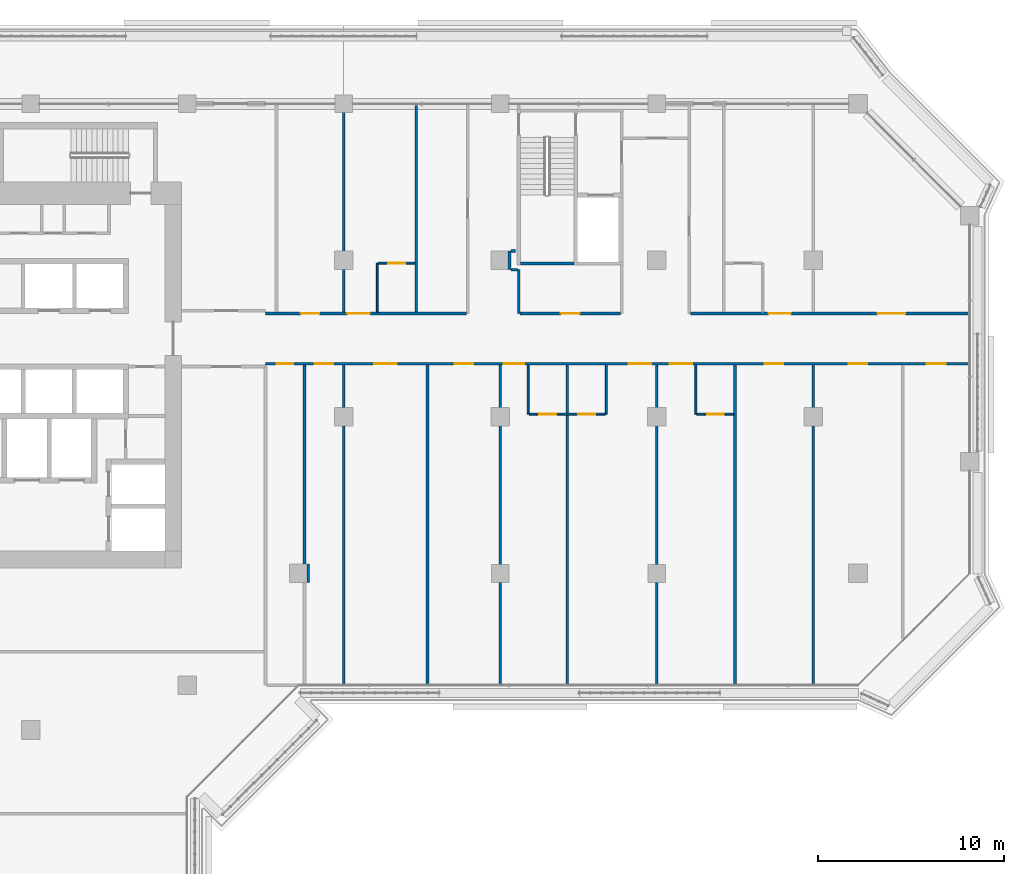
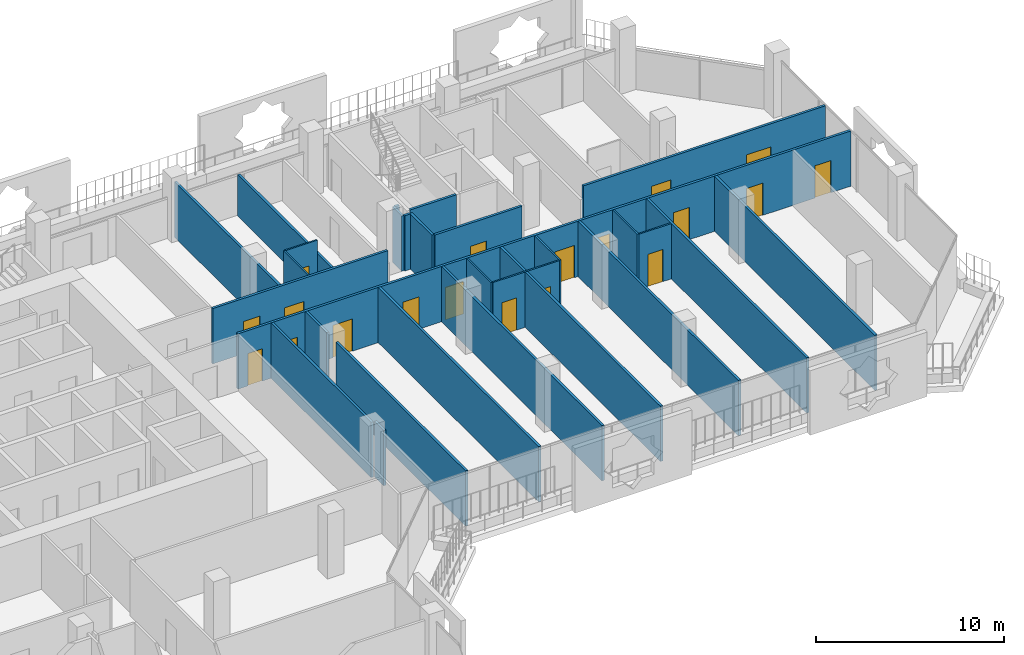
# One storey, part 13 of 23: 28 walls, 19 doors, 19 openings.
"""IFC4 building model written with IfcOpenShell, lengths in metres."""

from ifc_helpers import new_model, si_unit, direction, frame, frame_2d, origin, place, context, subcontext, project, spatial, rectangle, extrude, material, layer, layer_set, type_object, element, fill, save


model = new_model("IFC4")

# Units and contexts
model_context = context("Model", 3, precision=1e-05, world=origin(), true_north=direction((0.0, 1.0)))
body_context = subcontext(model_context, "Body", "Model", "MODEL_VIEW")
ifc_project = project(units=[si_unit("LENGTHUNIT", "METRE"), si_unit("AREAUNIT", "SQUARE_METRE"), si_unit("VOLUMEUNIT", "CUBIC_METRE"), si_unit("PLANEANGLEUNIT", "RADIAN"), si_unit("MASSUNIT", "GRAM", prefix="KILO")], contexts=[model_context])

# Site, building, storey
site_placement = place(None, origin())
site = spatial("IfcSite", under=ifc_project, at=site_placement, CompositionType="ELEMENT")
building_placement = place(site_placement, origin())
building = spatial("IfcBuilding", under=site, at=building_placement, Name="Kawkab Arch Medical Tower", CompositionType="ELEMENT")
storey_placement = place(building_placement, frame((0.0, 0.0, 175.199951171875)))
storey = spatial("IfcBuildingStorey", under=building, at=storey_placement, Name="L40", CompositionType="ELEMENT", Elevation=175.199951171875)

# Wall, openings, doors
ifc_material_1 = material(Name="Gypsum board partition on steel studs", Category="steel")
ifc_layer_1 = layer(ifc_material_1, 0.10009765625)
ifc_layer_set_1 = layer_set([ifc_layer_1], Name="Gypsum board partition on steel studs")
wall_type_1 = type_object("IfcWallType", Name="Partition 100", PredefinedType="PARTITIONING", material=ifc_layer_set_1)
wall_1_placement = place(storey_placement, frame((43.550048828125, -16.64990234375, 0.0), z_axis=(0.0, 0.0, 1.0), x_axis=(1.0, 0.0, 0.0)))
wall_1 = element("IfcWall", 1, at=wall_1_placement, inside=storey, type_object=wall_type_1, Name="Partition 100 w003", PredefinedType="PARTITIONING", context=body_context, shape_type="SweptSolid", body=[
    extrude(rectangle(XDim=4.099853515625, YDim=0.10009765625, at=frame_2d((2.0498046875, 0.0))), origin(), (0.0, 0.0, 1.0), 3.60009765625),
])
opening_1_placement = place(wall_1_placement, frame((0.550048828125, 0.0, 0.0)))
opening_1 = element("IfcOpeningElement", 2, at=opening_1_placement, cuts=wall_1, Name="Opening W40-007", PredefinedType="OPENING", context=body_context, shape_type="SweptSolid", body=[
    extrude(rectangle(XDim=0.89990234375, YDim=2.10009765625, at=frame_2d((0.449951171875, 1.050048828125))), frame((0.0, 0.06005859375, 0.0), z_axis=(0.0, -1.0, 0.0), x_axis=(1.0, 0.0, 0.0)), (0.0, 0.0, 1.0), 0.1201171875),
])
opening_2_placement = place(wall_1_placement, frame((2.64990234375, 0.0, 0.0)))
opening_2 = element("IfcOpeningElement", 3, at=opening_2_placement, cuts=wall_1, Name="Opening W40-008", PredefinedType="OPENING", context=body_context, shape_type="SweptSolid", body=[
    extrude(rectangle(XDim=0.89990234375, YDim=2.10009765625, at=frame_2d((0.449951171875, 1.050048828125))), frame((0.0, 0.06005859375, 0.0), z_axis=(0.0, -1.0, 0.0), x_axis=(1.0, 0.0, 0.0)), (0.0, 0.0, 1.0), 0.1201171875),
])
ifc_material_2 = material(Name="Timber door leaf", Category="wood")
door_type_1 = type_object("IfcDoorType", Name="Single door 900x2100", OperationType="NOTDEFINED", PredefinedType="DOOR", material=ifc_material_2)
door_1_placement = place(opening_1_placement, origin())
door_1 = element("IfcDoor", 4, at=door_1_placement, inside=storey, type_object=door_type_1, Name="Door W40-007", OperationType="SINGLE_SWING_RIGHT", OverallHeight=2.10009765625, OverallWidth=0.89990234375, PredefinedType="DOOR", context=body_context, shape_type="SweptSolid", body=[
    extrude(rectangle(XDim=0.89990234375, YDim=2.10009765625, at=frame_2d((0.449951171875, 1.050048828125))), frame((0.0, 0.02490234375, 0.0), z_axis=(0.0, -1.0, 0.0), x_axis=(1.0, 0.0, 0.0)), (0.0, 0.0, 1.0), 0.050048828125),
])
fill(opening_1, door_1)
door_2_placement = place(opening_2_placement, origin())
door_2 = element("IfcDoor", 5, at=door_2_placement, inside=storey, type_object=door_type_1, Name="Door W40-008", OperationType="SINGLE_SWING_LEFT", OverallHeight=2.10009765625, OverallWidth=0.89990234375, PredefinedType="DOOR", context=body_context, shape_type="SweptSolid", body=[
    extrude(rectangle(XDim=0.89990234375, YDim=2.10009765625, at=frame_2d((0.449951171875, 1.050048828125))), frame((0.0, 0.02490234375, 0.0), z_axis=(0.0, -1.0, 0.0), x_axis=(1.0, 0.0, 0.0)), (0.0, 0.0, 1.0), 0.050048828125),
])
fill(opening_2, door_2)

# Wall, opening, door
wall_2_placement = place(storey_placement, frame((52.550048828125, -16.64990234375, 0.0), z_axis=(0.0, 0.0, 1.0), x_axis=(1.0, 0.0, 0.0)))
wall_2 = element("IfcWall", 6, at=wall_2_placement, inside=storey, type_object=wall_type_1, Name="Partition 100 w004", PredefinedType="PARTITIONING", context=body_context, shape_type="SweptSolid", body=[
    extrude(rectangle(XDim=1.974853515625, YDim=0.10009765625, at=frame_2d((0.9873046875, 0.0))), origin(), (0.0, 0.0, 1.0), 3.60009765625),
])
opening_3_placement = place(wall_2_placement, frame((0.550048828125, 0.0, 0.0)))
opening_3 = element("IfcOpeningElement", 7, at=opening_3_placement, cuts=wall_2, Name="Opening W40-009", PredefinedType="OPENING", context=body_context, shape_type="SweptSolid", body=[
    extrude(rectangle(XDim=0.89990234375, YDim=2.10009765625, at=frame_2d((0.449951171875, 1.050048828125))), frame((0.0, 0.06005859375, 0.0), z_axis=(0.0, -1.0, 0.0), x_axis=(1.0, 0.0, 0.0)), (0.0, 0.0, 1.0), 0.1201171875),
])
door_3_placement = place(opening_3_placement, origin())
door_3 = element("IfcDoor", 8, at=door_3_placement, inside=storey, type_object=door_type_1, Name="Door W40-009", OperationType="SINGLE_SWING_LEFT", OverallHeight=2.10009765625, OverallWidth=0.89990234375, PredefinedType="DOOR", context=body_context, shape_type="SweptSolid", body=[
    extrude(rectangle(XDim=0.89990234375, YDim=2.10009765625, at=frame_2d((0.449951171875, 1.050048828125))), frame((0.0, 0.02490234375, 0.0), z_axis=(0.0, -1.0, 0.0), x_axis=(1.0, 0.0, 0.0)), (0.0, 0.0, 1.0), 0.050048828125),
])
fill(opening_3, door_3)

wall_3_placement = place(storey_placement, frame((35.449951171875, -8.550048828125, 0.0), z_axis=(0.0, 0.0, 1.0), x_axis=(1.0, 0.0, 0.0)))
wall_3 = element("IfcWall", 9, at=wall_3_placement, inside=storey, type_object=wall_type_1, Name="Partition 100 w005", PredefinedType="PARTITIONING", context=body_context, shape_type="SweptSolid", body=[
    extrude(rectangle(XDim=1.97509765625, YDim=0.10009765625, at=frame_2d((0.987548828125, 0.0))), origin(), (0.0, 0.0, 1.0), 3.60009765625),
])
opening_4_placement = place(wall_3_placement, frame((0.550048828125, 0.0, 0.0)))
opening_4 = element("IfcOpeningElement", 10, at=opening_4_placement, cuts=wall_3, Name="Opening W40-005", PredefinedType="OPENING", context=body_context, shape_type="SweptSolid", body=[
    extrude(rectangle(XDim=0.89990234375, YDim=2.10009765625, at=frame_2d((0.449951171875, 1.050048828125))), frame((0.0, 0.06005859375, 0.0), z_axis=(0.0, -1.0, 0.0), x_axis=(1.0, 0.0, 0.0)), (0.0, 0.0, 1.0), 0.1201171875),
])
door_4_placement = place(opening_4_placement, origin())
door_4 = element("IfcDoor", 11, at=door_4_placement, inside=storey, type_object=door_type_1, Name="Door W40-005", OperationType="SINGLE_SWING_RIGHT", OverallHeight=2.10009765625, OverallWidth=0.89990234375, PredefinedType="DOOR", context=body_context, shape_type="SweptSolid", body=[
    extrude(rectangle(XDim=0.89990234375, YDim=2.10009765625, at=frame_2d((0.449951171875, 1.050048828125))), frame((0.0, 0.02490234375, 0.0), z_axis=(0.0, -1.0, 0.0), x_axis=(1.0, 0.0, 0.0)), (0.0, 0.0, 1.0), 0.050048828125),
])
fill(opening_4, door_4)

# Walls
for number, where, z_axis, x_axis, name in (
    (12, (35.39990234375, -11.175048828125, 0.0), (0.0, 0.0, 1.0), (0.0, 1.0, 0.0), "Partition 100 w010"),
    (13, (43.5, -16.64990234375, 0.0), (0.0, 0.0, 1.0), (0.0, 1.0, 0.0), "Partition 100 w011"),
    (14, (47.699951171875, -16.64990234375, 0.0), (0.0, 0.0, 1.0), (0.0, 1.0, 0.0), "Partition 100 w012"),
    (15, (52.5, -16.64990234375, 0.0), (0.0, 0.0, 1.0), (0.0, 1.0, 0.0), "Partition 100 w013"),
):
    element("IfcWall", number, at=place(storey_placement, frame(where, z_axis=z_axis, x_axis=x_axis)), inside=storey, type_object=wall_type_1, Name=name, PredefinedType="PARTITIONING", context=body_context, shape_type="SweptSolid", body=[
        extrude(rectangle(XDim=2.625, YDim=0.10009765625, at=frame_2d((1.3125, 0.0))), origin(), (0.0, 0.0, 1.0), 3.60009765625),
    ])

# Wall, openings, doors
ifc_material_3 = material(Name="Gypsum board partition on steel studs, mineral wool", Category="steel")
ifc_layer_2 = layer(ifc_material_3, 0.14990234375)
ifc_layer_set_2 = layer_set([ifc_layer_2], Name="Gypsum board partition on steel studs, mineral wool")
wall_type_2 = type_object("IfcWallType", Name="Partition 150", PredefinedType="PARTITIONING", material=ifc_layer_set_2)
wall_4_placement = place(storey_placement, frame((29.39990234375, -13.949951171875, 0.0), z_axis=(0.0, 0.0, 1.0), x_axis=(1.0, 0.0, 0.0)))
wall_4 = element("IfcWall", 16, at=wall_4_placement, inside=storey, type_object=wall_type_2, Name="Partition 150 w028", PredefinedType="PARTITIONING", context=body_context, shape_type="SweptSolid", body=[
    extrude(rectangle(XDim=37.72021484375, YDim=0.14990234375, at=frame_2d((18.860107421875, 0.0))), origin(), (0.0, 0.0, 1.0), 3.60009765625),
])
opening_5_placement = place(wall_4_placement, frame((10.14990234375, 0.0, 0.0)))
opening_5 = element("IfcOpeningElement", 17, at=opening_5_placement, cuts=wall_4, Name="Opening W40-019", PredefinedType="OPENING", context=body_context, shape_type="SweptSolid", body=[
    extrude(rectangle(XDim=1.0, YDim=2.10009765625, at=frame_2d((0.5, 1.050048828125))), frame((0.0, 0.0849609375, 0.0), z_axis=(0.0, -1.0, 0.0), x_axis=(1.0, 0.0, 0.0)), (0.0, 0.0, 1.0), 0.169921875),
])
opening_6_placement = place(wall_4_placement, frame((12.800048828125, 0.0, 0.0)))
opening_6 = element("IfcOpeningElement", 18, at=opening_6_placement, cuts=wall_4, Name="Opening W40-026", PredefinedType="OPENING", context=body_context, shape_type="SweptSolid", body=[
    extrude(rectangle(XDim=1.10009765625, YDim=2.10009765625, at=frame_2d((0.550048828125, 1.050048828125))), frame((0.0, 0.0849609375, 0.0), z_axis=(0.0, -1.0, 0.0), x_axis=(1.0, 0.0, 0.0)), (0.0, 0.0, 1.0), 0.169921875),
])
opening_7_placement = place(wall_4_placement, frame((19.5, 0.0, 0.0)))
opening_7 = element("IfcOpeningElement", 19, at=opening_7_placement, cuts=wall_4, Name="Opening W40-031", PredefinedType="OPENING", context=body_context, shape_type="SweptSolid", body=[
    extrude(rectangle(XDim=1.199951171875, YDim=2.10009765625, at=frame_2d((0.60009765625, 1.050048828125))), frame((0.0, 0.0849609375, 0.0), z_axis=(0.0, -1.0, 0.0), x_axis=(1.0, 0.0, 0.0)), (0.0, 0.0, 1.0), 0.169921875),
])
opening_8_placement = place(wall_4_placement, frame((21.699951171875, 0.0, 0.0)))
opening_8 = element("IfcOpeningElement", 20, at=opening_8_placement, cuts=wall_4, Name="Opening W40-032", PredefinedType="OPENING", context=body_context, shape_type="SweptSolid", body=[
    extrude(rectangle(XDim=1.199951171875, YDim=2.10009765625, at=frame_2d((0.60009765625, 1.050048828125))), frame((0.0, 0.0849609375, 0.0), z_axis=(0.0, -1.0, 0.0), x_axis=(1.0, 0.0, 0.0)), (0.0, 0.0, 1.0), 0.169921875),
])
opening_9_placement = place(wall_4_placement, frame((26.800048828125, 0.0, 0.0)))
opening_9 = element("IfcOpeningElement", 21, at=opening_9_placement, cuts=wall_4, Name="Opening W40-020", PredefinedType="OPENING", context=body_context, shape_type="SweptSolid", body=[
    extrude(rectangle(XDim=1.0, YDim=2.10009765625, at=frame_2d((0.5, 1.050048828125))), frame((0.0, 0.0849609375, 0.0), z_axis=(0.0, -1.0, 0.0), x_axis=(1.0, 0.0, 0.0)), (0.0, 0.0, 1.0), 0.169921875),
])
opening_10_placement = place(wall_4_placement, frame((31.300048828125, 0.0, 0.0)))
opening_10 = element("IfcOpeningElement", 22, at=opening_10_placement, cuts=wall_4, Name="Opening W40-021", PredefinedType="OPENING", context=body_context, shape_type="SweptSolid", body=[
    extrude(rectangle(XDim=1.0, YDim=2.10009765625, at=frame_2d((0.5, 1.050048828125))), frame((0.0, 0.0849609375, 0.0), z_axis=(0.0, -1.0, 0.0), x_axis=(1.0, 0.0, 0.0)), (0.0, 0.0, 1.0), 0.169921875),
])
opening_11_placement = place(wall_4_placement, frame((35.5, 0.0, 0.0)))
opening_11 = element("IfcOpeningElement", 23, at=opening_11_placement, cuts=wall_4, Name="Opening W40-022", PredefinedType="OPENING", context=body_context, shape_type="SweptSolid", body=[
    extrude(rectangle(XDim=1.0, YDim=2.10009765625, at=frame_2d((0.5, 1.050048828125))), frame((0.0, 0.0849609375, 0.0), z_axis=(0.0, -1.0, 0.0), x_axis=(1.0, 0.0, 0.0)), (0.0, 0.0, 1.0), 0.169921875),
])
opening_12_placement = place(wall_4_placement, frame((0.60009765625, 0.0, 0.0)))
opening_12 = element("IfcOpeningElement", 24, at=opening_12_placement, cuts=wall_4, Name="Opening W40-012", PredefinedType="OPENING", context=body_context, shape_type="SweptSolid", body=[
    extrude(rectangle(XDim=0.89990234375, YDim=2.10009765625, at=frame_2d((0.449951171875, 1.050048828125))), frame((0.0, 0.0849609375, 0.0), z_axis=(0.0, -1.0, 0.0), x_axis=(1.0, 0.0, 0.0)), (0.0, 0.0, 1.0), 0.169921875),
])
opening_13_placement = place(wall_4_placement, frame((2.64990234375, 0.0, 0.0)))
opening_13 = element("IfcOpeningElement", 25, at=opening_13_placement, cuts=wall_4, Name="Opening W40-013", PredefinedType="OPENING", context=body_context, shape_type="SweptSolid", body=[
    extrude(rectangle(XDim=1.0, YDim=2.10009765625, at=frame_2d((0.5, 1.050048828125))), frame((0.0, 0.0849609375, 0.0), z_axis=(0.0, -1.0, 0.0), x_axis=(1.0, 0.0, 0.0)), (0.0, 0.0, 1.0), 0.169921875),
])
opening_14_placement = place(wall_4_placement, frame((5.85009765625, 0.0, 0.0)))
opening_14 = element("IfcOpeningElement", 26, at=opening_14_placement, cuts=wall_4, Name="Opening W40-037", PredefinedType="OPENING", context=body_context, shape_type="SweptSolid", body=[
    extrude(rectangle(XDim=1.199951171875, YDim=2.10009765625, at=frame_2d((0.60009765625, 1.050048828125))), frame((0.0, 0.0849609375, 0.0), z_axis=(0.0, -1.0, 0.0), x_axis=(1.0, 0.0, 0.0)), (0.0, 0.0, 1.0), 0.169921875),
])
ifc_material_4 = material(Name="Timber door leaf", Category="wood")
door_type_2 = type_object("IfcDoorType", Name="Single door 1000x2100", OperationType="NOTDEFINED", PredefinedType="DOOR", material=ifc_material_4)
door_5_placement = place(opening_13_placement, origin())
door_5 = element("IfcDoor", 27, at=door_5_placement, inside=storey, type_object=door_type_2, Name="Door W40-013", OperationType="SINGLE_SWING_RIGHT", OverallHeight=2.10009765625, OverallWidth=1.0, PredefinedType="DOOR", context=body_context, shape_type="SweptSolid", body=[
    extrude(rectangle(XDim=1.0, YDim=2.10009765625, at=frame_2d((0.5, 1.050048828125))), frame((0.0, 0.02490234375, 0.0), z_axis=(0.0, -1.0, 0.0), x_axis=(1.0, 0.0, 0.0)), (0.0, 0.0, 1.0), 0.050048828125),
])
fill(opening_13, door_5)
ifc_material_5 = material(Name="Hollow metal door leaf")
door_type_3 = type_object("IfcDoorType", Name="Single door 1000x2100 FD30S", OperationType="NOTDEFINED", PredefinedType="DOOR", material=ifc_material_5)
door_6_placement = place(opening_5_placement, origin())
door_6 = element("IfcDoor", 28, at=door_6_placement, inside=storey, type_object=door_type_3, Name="Door W40-019", OperationType="SINGLE_SWING_RIGHT", OverallHeight=2.10009765625, OverallWidth=1.0, PredefinedType="DOOR", context=body_context, shape_type="SweptSolid", body=[
    extrude(rectangle(XDim=1.0, YDim=2.10009765625, at=frame_2d((0.5, 1.050048828125))), frame((0.0, 0.02490234375, 0.0), z_axis=(0.0, -1.0, 0.0), x_axis=(1.0, 0.0, 0.0)), (0.0, 0.0, 1.0), 0.050048828125),
])
fill(opening_5, door_6)
door_7_placement = place(opening_9_placement, origin())
door_7 = element("IfcDoor", 29, at=door_7_placement, inside=storey, type_object=door_type_3, Name="Door W40-020", OperationType="SINGLE_SWING_LEFT", OverallHeight=2.10009765625, OverallWidth=1.0, PredefinedType="DOOR", context=body_context, shape_type="SweptSolid", body=[
    extrude(rectangle(XDim=1.0, YDim=2.10009765625, at=frame_2d((0.5, 1.050048828125))), frame((0.0, 0.02490234375, 0.0), z_axis=(0.0, -1.0, 0.0), x_axis=(1.0, 0.0, 0.0)), (0.0, 0.0, 1.0), 0.050048828125),
])
fill(opening_9, door_7)
door_8_placement = place(opening_10_placement, origin())
door_8 = element("IfcDoor", 30, at=door_8_placement, inside=storey, type_object=door_type_3, Name="Door W40-021", OperationType="SINGLE_SWING_LEFT", OverallHeight=2.10009765625, OverallWidth=1.0, PredefinedType="DOOR", context=body_context, shape_type="SweptSolid", body=[
    extrude(rectangle(XDim=1.0, YDim=2.10009765625, at=frame_2d((0.5, 1.050048828125))), frame((0.0, 0.02490234375, 0.0), z_axis=(0.0, -1.0, 0.0), x_axis=(1.0, 0.0, 0.0)), (0.0, 0.0, 1.0), 0.050048828125),
])
fill(opening_10, door_8)
door_9_placement = place(opening_11_placement, origin())
door_9 = element("IfcDoor", 31, at=door_9_placement, inside=storey, type_object=door_type_3, Name="Door W40-022", OperationType="SINGLE_SWING_LEFT", OverallHeight=2.10009765625, OverallWidth=1.0, PredefinedType="DOOR", context=body_context, shape_type="SweptSolid", body=[
    extrude(rectangle(XDim=1.0, YDim=2.10009765625, at=frame_2d((0.5, 1.050048828125))), frame((0.0, 0.02490234375, 0.0), z_axis=(0.0, -1.0, 0.0), x_axis=(1.0, 0.0, 0.0)), (0.0, 0.0, 1.0), 0.050048828125),
])
fill(opening_11, door_9)
ifc_material_6 = material(Name="Hollow metal door leaf")
door_type_4 = type_object("IfcDoorType", Name="Single door 1100x2100 FD30S", OperationType="NOTDEFINED", PredefinedType="DOOR", material=ifc_material_6)
door_10_placement = place(opening_6_placement, origin())
door_10 = element("IfcDoor", 32, at=door_10_placement, inside=storey, type_object=door_type_4, Name="Door W40-026", OperationType="SINGLE_SWING_RIGHT", OverallHeight=2.10009765625, OverallWidth=1.10009765625, PredefinedType="DOOR", context=body_context, shape_type="SweptSolid", body=[
    extrude(rectangle(XDim=1.10009765625, YDim=2.10009765625, at=frame_2d((0.550048828125, 1.050048828125))), frame((0.0, 0.02490234375, 0.0), z_axis=(0.0, -1.0, 0.0), x_axis=(1.0, 0.0, 0.0)), (0.0, 0.0, 1.0), 0.050048828125),
])
fill(opening_6, door_10)
ifc_material_7 = material(Name="Hollow metal door leaf")
door_type_5 = type_object("IfcDoorType", Name="Single door 1200x2100 FD30S", OperationType="NOTDEFINED", PredefinedType="DOOR", material=ifc_material_7)
door_11_placement = place(opening_7_placement, origin())
door_11 = element("IfcDoor", 33, at=door_11_placement, inside=storey, type_object=door_type_5, Name="Door W40-031", OperationType="SINGLE_SWING_LEFT", OverallHeight=2.10009765625, OverallWidth=1.199951171875, PredefinedType="DOOR", context=body_context, shape_type="SweptSolid", body=[
    extrude(rectangle(XDim=1.199951171875, YDim=2.10009765625, at=frame_2d((0.60009765625, 1.050048828125))), frame((0.0, 0.02490234375, 0.0), z_axis=(0.0, -1.0, 0.0), x_axis=(1.0, 0.0, 0.0)), (0.0, 0.0, 1.0), 0.050048828125),
])
fill(opening_7, door_11)
door_12_placement = place(opening_8_placement, origin())
door_12 = element("IfcDoor", 34, at=door_12_placement, inside=storey, type_object=door_type_5, Name="Door W40-032", OperationType="SINGLE_SWING_LEFT", OverallHeight=2.10009765625, OverallWidth=1.199951171875, PredefinedType="DOOR", context=body_context, shape_type="SweptSolid", body=[
    extrude(rectangle(XDim=1.199951171875, YDim=2.10009765625, at=frame_2d((0.60009765625, 1.050048828125))), frame((0.0, 0.02490234375, 0.0), z_axis=(0.0, -1.0, 0.0), x_axis=(1.0, 0.0, 0.0)), (0.0, 0.0, 1.0), 0.050048828125),
])
fill(opening_8, door_12)
door_13_placement = place(opening_14_placement, origin())
door_13 = element("IfcDoor", 35, at=door_13_placement, inside=storey, type_object=door_type_5, Name="Door W40-037", OperationType="SINGLE_SWING_RIGHT", OverallHeight=2.10009765625, OverallWidth=1.199951171875, PredefinedType="DOOR", context=body_context, shape_type="SweptSolid", body=[
    extrude(rectangle(XDim=1.199951171875, YDim=2.10009765625, at=frame_2d((0.60009765625, 1.050048828125))), frame((0.0, 0.02490234375, 0.0), z_axis=(0.0, -1.0, 0.0), x_axis=(1.0, 0.0, 0.0)), (0.0, 0.0, 1.0), 0.050048828125),
])
fill(opening_14, door_13)
door_14_placement = place(opening_12_placement, origin())
door_14 = element("IfcDoor", 36, at=door_14_placement, inside=storey, type_object=door_type_1, Name="Door W40-012", OperationType="SINGLE_SWING_RIGHT", OverallHeight=2.10009765625, OverallWidth=0.89990234375, PredefinedType="DOOR", context=body_context, shape_type="SweptSolid", body=[
    extrude(rectangle(XDim=0.89990234375, YDim=2.10009765625, at=frame_2d((0.449951171875, 1.050048828125))), frame((0.0, 0.02490234375, 0.0), z_axis=(0.0, -1.0, 0.0), x_axis=(1.0, 0.0, 0.0)), (0.0, 0.0, 1.0), 0.050048828125),
])
fill(opening_12, door_14)

wall_5_placement = place(storey_placement, frame((29.39990234375, -11.25, 0.0), z_axis=(0.0, 0.0, 1.0), x_axis=(1.0, 0.0, 0.0)))
wall_5 = element("IfcWall", 37, at=wall_5_placement, inside=storey, type_object=wall_type_2, Name="Partition 150 w029", PredefinedType="PARTITIONING", context=body_context, shape_type="SweptSolid", body=[
    extrude(rectangle(XDim=10.781982421875, YDim=0.14990234375, at=frame_2d((5.39111328125, 0.0))), origin(), (0.0, 0.0, 1.0), 3.60009765625),
])
opening_15_placement = place(wall_5_placement, frame((1.89990234375, 0.0, 0.0)))
opening_15 = element("IfcOpeningElement", 38, at=opening_15_placement, cuts=wall_5, Name="Opening W40-014", PredefinedType="OPENING", context=body_context, shape_type="SweptSolid", body=[
    extrude(rectangle(XDim=1.0, YDim=2.10009765625, at=frame_2d((0.5, 1.050048828125))), frame((0.0, 0.0849609375, 0.0), z_axis=(0.0, -1.0, 0.0), x_axis=(1.0, 0.0, 0.0)), (0.0, 0.0, 1.0), 0.169921875),
])
opening_16_placement = place(wall_5_placement, frame((4.39990234375, 0.0, 0.0)))
opening_16 = element("IfcOpeningElement", 39, at=opening_16_placement, cuts=wall_5, Name="Opening W40-029", PredefinedType="OPENING", context=body_context, shape_type="SweptSolid", body=[
    extrude(rectangle(XDim=1.199951171875, YDim=2.10009765625, at=frame_2d((0.60009765625, 1.050048828125))), frame((0.0, 0.0849609375, 0.0), z_axis=(0.0, -1.0, 0.0), x_axis=(1.0, 0.0, 0.0)), (0.0, 0.0, 1.0), 0.169921875),
])
door_15_placement = place(opening_15_placement, origin())
door_15 = element("IfcDoor", 40, at=door_15_placement, inside=storey, type_object=door_type_3, Name="Door W40-014", OperationType="SINGLE_SWING_LEFT", OverallHeight=2.10009765625, OverallWidth=1.0, PredefinedType="DOOR", context=body_context, shape_type="SweptSolid", body=[
    extrude(rectangle(XDim=1.0, YDim=2.10009765625, at=frame_2d((0.5, 1.050048828125))), frame((0.0, 0.02490234375, 0.0), z_axis=(0.0, -1.0, 0.0), x_axis=(1.0, 0.0, 0.0)), (0.0, 0.0, 1.0), 0.050048828125),
])
fill(opening_15, door_15)
door_16_placement = place(opening_16_placement, origin())
door_16 = element("IfcDoor", 41, at=door_16_placement, inside=storey, type_object=door_type_5, Name="Door W40-029", OperationType="SINGLE_SWING_LEFT", OverallHeight=2.10009765625, OverallWidth=1.199951171875, PredefinedType="DOOR", context=body_context, shape_type="SweptSolid", body=[
    extrude(rectangle(XDim=1.199951171875, YDim=2.10009765625, at=frame_2d((0.60009765625, 1.050048828125))), frame((0.0, 0.02490234375, 0.0), z_axis=(0.0, -1.0, 0.0), x_axis=(1.0, 0.0, 0.0)), (0.0, 0.0, 1.0), 0.050048828125),
])
fill(opening_16, door_16)

# Wall, opening, door
wall_6_placement = place(storey_placement, frame((43.074951171875, -11.25, 0.0), z_axis=(0.0, 0.0, 1.0), x_axis=(1.0, 0.0, 0.0)))
wall_6 = element("IfcWall", 42, at=wall_6_placement, inside=storey, type_object=wall_type_2, Name="Partition 150 w030", PredefinedType="PARTITIONING", context=body_context, shape_type="SweptSolid", body=[
    extrude(rectangle(XDim=5.375, YDim=0.14990234375, at=frame_2d((2.6875, 0.0))), origin(), (0.0, 0.0, 1.0), 3.60009765625),
])
opening_17_placement = place(wall_6_placement, frame((2.18798828125, 0.0, 0.0)))
opening_17 = element("IfcOpeningElement", 43, at=opening_17_placement, cuts=wall_6, Name="Opening W40-016", PredefinedType="OPENING", context=body_context, shape_type="SweptSolid", body=[
    extrude(rectangle(XDim=1.0, YDim=2.10009765625, at=frame_2d((0.5, 1.050048828125))), frame((0.0, 0.0849609375, 0.0), z_axis=(0.0, -1.0, 0.0), x_axis=(1.0, 0.0, 0.0)), (0.0, 0.0, 1.0), 0.169921875),
])
door_17_placement = place(opening_17_placement, origin())
door_17 = element("IfcDoor", 44, at=door_17_placement, inside=storey, type_object=door_type_3, Name="Door W40-016", OperationType="SINGLE_SWING_RIGHT", OverallHeight=2.10009765625, OverallWidth=1.0, PredefinedType="DOOR", context=body_context, shape_type="SweptSolid", body=[
    extrude(rectangle(XDim=1.0, YDim=2.10009765625, at=frame_2d((0.5, 1.050048828125))), frame((0.0, 0.02490234375, 0.0), z_axis=(0.0, -1.0, 0.0), x_axis=(1.0, 0.0, 0.0)), (0.0, 0.0, 1.0), 0.050048828125),
])
fill(opening_17, door_17)

# Wall, openings, doors
wall_7_placement = place(storey_placement, frame((52.218017578125, -11.25, 0.0), z_axis=(0.0, 0.0, 1.0), x_axis=(1.0, 0.0, 0.0)))
wall_7 = element("IfcWall", 45, at=wall_7_placement, inside=storey, type_object=wall_type_2, Name="Partition 150 w031", PredefinedType="PARTITIONING", context=body_context, shape_type="SweptSolid", body=[
    extrude(rectangle(XDim=14.902099609375, YDim=0.14990234375, at=frame_2d((7.451171875, 0.0))), origin(), (0.0, 0.0, 1.0), 3.60009765625),
])
opening_18_placement = place(wall_7_placement, frame((4.181884765625, 0.0, 0.0)))
opening_18 = element("IfcOpeningElement", 46, at=opening_18_placement, cuts=wall_7, Name="Opening W40-030", PredefinedType="OPENING", context=body_context, shape_type="SweptSolid", body=[
    extrude(rectangle(XDim=1.199951171875, YDim=2.10009765625, at=frame_2d((0.60009765625, 1.050048828125))), frame((0.0, 0.0849609375, 0.0), z_axis=(0.0, -1.0, 0.0), x_axis=(1.0, 0.0, 0.0)), (0.0, 0.0, 1.0), 0.169921875),
])
opening_19_placement = place(wall_7_placement, frame((10.031982421875, 0.0, 0.0)))
opening_19 = element("IfcOpeningElement", 47, at=opening_19_placement, cuts=wall_7, Name="Opening W40-002", PredefinedType="OPENING", context=body_context, shape_type="SweptSolid", body=[
    extrude(rectangle(XDim=1.5, YDim=2.10009765625, at=frame_2d((0.75, 1.050048828125))), frame((0.0, 0.0849609375, 0.0), z_axis=(0.0, -1.0, 0.0), x_axis=(1.0, 0.0, 0.0)), (0.0, 0.0, 1.0), 0.169921875),
])
ifc_material_8 = material(Name="Hollow metal door leaf")
door_type_6 = type_object("IfcDoorType", Name="Double door 1500x2100 FD30S", OperationType="NOTDEFINED", PredefinedType="DOOR", material=ifc_material_8)
door_18_placement = place(opening_19_placement, origin())
door_18 = element("IfcDoor", 48, at=door_18_placement, inside=storey, type_object=door_type_6, Name="Door W40-002", OperationType="DOUBLE_DOOR_SINGLE_SWING", OverallHeight=2.10009765625, OverallWidth=1.5, PredefinedType="DOOR", context=body_context, shape_type="SweptSolid", body=[
    extrude(rectangle(XDim=1.5, YDim=2.10009765625, at=frame_2d((0.75, 1.050048828125))), frame((0.0, 0.02490234375, 0.0), z_axis=(0.0, -1.0, 0.0), x_axis=(1.0, 0.0, 0.0)), (0.0, 0.0, 1.0), 0.050048828125),
])
fill(opening_19, door_18)
door_19_placement = place(opening_18_placement, origin())
door_19 = element("IfcDoor", 49, at=door_19_placement, inside=storey, type_object=door_type_5, Name="Door W40-030", OperationType="SINGLE_SWING_LEFT", OverallHeight=2.10009765625, OverallWidth=1.199951171875, PredefinedType="DOOR", context=body_context, shape_type="SweptSolid", body=[
    extrude(rectangle(XDim=1.199951171875, YDim=2.10009765625, at=frame_2d((0.60009765625, 1.050048828125))), frame((0.0, 0.02490234375, 0.0), z_axis=(0.0, -1.0, 0.0), x_axis=(1.0, 0.0, 0.0)), (0.0, 0.0, 1.0), 0.050048828125),
])
fill(opening_18, door_19)

# Walls
wall_8_placement = place(storey_placement, frame((42.576904296875, -8.89990234375, 0.0), z_axis=(0.0, 0.0, 1.0), x_axis=(1.0, 0.0, 0.0)))
element("IfcWall", 50, at=wall_8_placement, inside=storey, type_object=wall_type_2, Name="Partition 150 w034", PredefinedType="PARTITIONING", context=body_context, shape_type="SweptSolid", body=[
    extrude(rectangle(XDim=0.34619140625, YDim=0.14990234375, at=frame_2d((0.173095703125, 0.0))), origin(), (0.0, 0.0, 1.0), 3.60009765625),
])
wall_9_placement = place(storey_placement, frame((42.576904296875, -7.89990234375, 0.0), z_axis=(0.0, 0.0, 1.0), x_axis=(1.0, 0.0, 0.0)))
element("IfcWall", 51, at=wall_9_placement, inside=storey, type_object=wall_type_2, Name="Partition 150 w035", PredefinedType="PARTITIONING", context=body_context, shape_type="SweptSolid", body=[
    extrude(rectangle(XDim=0.2431640625, YDim=0.14990234375, at=frame_2d((0.12158203125, 0.0))), origin(), (0.0, 0.0, 1.0), 3.60009765625),
])
wall_10_placement = place(storey_placement, frame((31.5, -24.697998046875, 0.0), z_axis=(0.0, 0.0, 1.0), x_axis=(0.0, 1.0, 0.0)))
element("IfcWall", 52, at=wall_10_placement, inside=storey, type_object=wall_type_2, Name="Partition 150 w048", PredefinedType="PARTITIONING", context=body_context, shape_type="SweptSolid", body=[
    extrude(rectangle(XDim=10.673095703125, YDim=0.14990234375, at=frame_2d((5.33642578125, 0.0))), origin(), (0.0, 0.0, 1.0), 3.60009765625),
])
wall_11_placement = place(storey_placement, frame((31.699951171875, -25.697998046875, 0.0), z_axis=(0.0, 0.0, 1.0), x_axis=(0.0, 1.0, 0.0)))
element("IfcWall", 53, at=wall_11_placement, inside=storey, type_object=wall_type_2, Name="Partition 150 w049", PredefinedType="PARTITIONING", context=body_context, shape_type="SweptSolid", body=[
    extrude(rectangle(XDim=0.99609375, YDim=0.14990234375, at=frame_2d((0.498046875, 0.0))), origin(), (0.0, 0.0, 1.0), 3.60009765625),
])
wall_12_placement = place(storey_placement, frame((33.60009765625, -31.1201171875, 0.0), z_axis=(0.0, 0.0, 1.0), x_axis=(0.0, 1.0, 0.0)))
element("IfcWall", 54, at=wall_12_placement, inside=storey, type_object=wall_type_2, Name="Partition 150 w050", PredefinedType="PARTITIONING", context=body_context, shape_type="SweptSolid", body=[
    extrude(rectangle(XDim=13.820068359375, YDim=0.14990234375, at=frame_2d((6.91015625, 0.0))), origin(), (0.0, 0.0, 1.0), 3.60009765625),
])
wall_13_placement = place(storey_placement, frame((33.60009765625, -16.300048828125, 0.0), z_axis=(0.0, 0.0, 1.0), x_axis=(0.0, 1.0, 0.0)))
element("IfcWall", 55, at=wall_13_placement, inside=storey, type_object=wall_type_2, Name="Partition 150 w051", PredefinedType="PARTITIONING", context=body_context, shape_type="SweptSolid", body=[
    extrude(rectangle(XDim=2.275146484375, YDim=0.14990234375, at=frame_2d((1.1376953125, 0.0))), origin(), (0.0, 0.0, 1.0), 3.60009765625),
])
wall_14_placement = place(storey_placement, frame((33.60009765625, -11.175048828125, 0.0), z_axis=(0.0, 0.0, 1.0), x_axis=(0.0, 1.0, 0.0)))
element("IfcWall", 56, at=wall_14_placement, inside=storey, type_object=wall_type_2, Name="Partition 150 w052", PredefinedType="PARTITIONING", context=body_context, shape_type="SweptSolid", body=[
    extrude(rectangle(XDim=11.094970703125, YDim=0.14990234375, at=frame_2d((5.54736328125, 0.0))), origin(), (0.0, 0.0, 1.0), 3.60009765625),
])
wall_15_placement = place(storey_placement, frame((37.5, -11.175048828125, 0.0), z_axis=(0.0, 0.0, 1.0), x_axis=(0.0, 1.0, 0.0)))
element("IfcWall", 57, at=wall_15_placement, inside=storey, type_object=wall_type_2, Name="Partition 150 w053", PredefinedType="PARTITIONING", context=body_context, shape_type="SweptSolid", body=[
    extrude(rectangle(XDim=11.094970703125, YDim=0.14990234375, at=frame_2d((5.54736328125, 0.0))), origin(), (0.0, 0.0, 1.0), 2.699951171875),
])
for number, where, z_axis, x_axis, name in (
    (58, (38.10009765625, -31.1201171875, 0.0), (0.0, 0.0, 1.0), (0.0, 1.0, 0.0), "Partition 150 w054"),
    (59, (42.0, -31.1201171875, 0.0), (0.0, 0.0, 1.0), (0.0, 1.0, 0.0), "Partition 150 w056"),
):
    element("IfcWall", number, at=place(storey_placement, frame(where, z_axis=z_axis, x_axis=x_axis)), inside=storey, type_object=wall_type_2, Name=name, PredefinedType="PARTITIONING", context=body_context, shape_type="SweptSolid", body=[
        extrude(rectangle(XDim=17.09521484375, YDim=0.14990234375, at=frame_2d((8.547607421875, 0.0))), origin(), (0.0, 0.0, 1.0), 3.60009765625),
    ])
wall_16_placement = place(storey_placement, frame((42.5, -8.89892578125, 0.0), z_axis=(0.0, 0.0, 1.0), x_axis=(0.0, 1.0, 0.0)))
element("IfcWall", 60, at=wall_16_placement, inside=storey, type_object=wall_type_2, Name="Partition 150 w057", PredefinedType="PARTITIONING", context=body_context, shape_type="SweptSolid", body=[
    extrude(rectangle(XDim=0.996826171875, YDim=0.14990234375, at=frame_2d((0.49853515625, 0.0))), origin(), (0.0, 0.0, 1.0), 3.60009765625),
])
wall_17_placement = place(storey_placement, frame((43.0, -11.25, 0.0), z_axis=(0.0, 0.0, 1.0), x_axis=(0.0, 1.0, 0.0)))
element("IfcWall", 61, at=wall_17_placement, inside=storey, type_object=wall_type_2, Name="Partition 150 w058", PredefinedType="PARTITIONING", context=body_context, shape_type="SweptSolid", body=[
    extrude(rectangle(XDim=2.347900390625, YDim=0.14990234375, at=frame_2d((1.173828125, 0.0))), origin(), (0.0, 0.0, 1.0), 3.60009765625),
])
for number, where, z_axis, x_axis, name in (
    (62, (45.60009765625, -31.1201171875, 0.0), (0.0, 0.0, 1.0), (0.0, 1.0, 0.0), "Partition 150 w060"),
    (63, (50.39990234375, -31.1201171875, 0.0), (0.0, 0.0, 1.0), (0.0, 1.0, 0.0), "Partition 150 w062"),
    (64, (54.60009765625, -31.1201171875, 0.0), (0.0, 0.0, 1.0), (0.0, 1.0, 0.0), "Partition 150 w065"),
    (65, (58.800048828125, -31.1201171875, 0.0), (0.0, 0.0, 1.0), (0.0, 1.0, 0.0), "Partition 150 w066"),
):
    element("IfcWall", number, at=place(storey_placement, frame(where, z_axis=z_axis, x_axis=x_axis)), inside=storey, type_object=wall_type_2, Name=name, PredefinedType="PARTITIONING", context=body_context, shape_type="SweptSolid", body=[
        extrude(rectangle(XDim=17.09521484375, YDim=0.14990234375, at=frame_2d((8.547607421875, 0.0))), origin(), (0.0, 0.0, 1.0), 3.60009765625),
    ])
ifc_material_9 = material(Name="Concrete C50/60", Category="concrete")
ifc_layer_3 = layer(ifc_material_9, 0.14990234375)
ifc_layer_set_3 = layer_set([ifc_layer_3], Name="Concrete C50/60")
wall_type_3 = type_object("IfcWallType", Name="Stair enclosure wall 150 C50/60", PredefinedType="SHEAR", material=ifc_layer_set_3)
wall_18_placement = place(storey_placement, frame((43.10009765625, -8.574951171875, 0.0), z_axis=(0.0, 0.0, 1.0), x_axis=(1.0, 0.0, 0.0)))
element("IfcWall", 66, at=wall_18_placement, inside=storey, type_object=wall_type_3, Name="L40 stair enclosure wall", PredefinedType="SHEAR", context=body_context, shape_type="SweptSolid", body=[
    extrude(rectangle(XDim=2.849853515625, YDim=0.14990234375, at=frame_2d((1.4248046875, 0.0))), origin(), (0.0, 0.0, 1.0), 3.60009765625),
])

save(model, "model.ifc")
